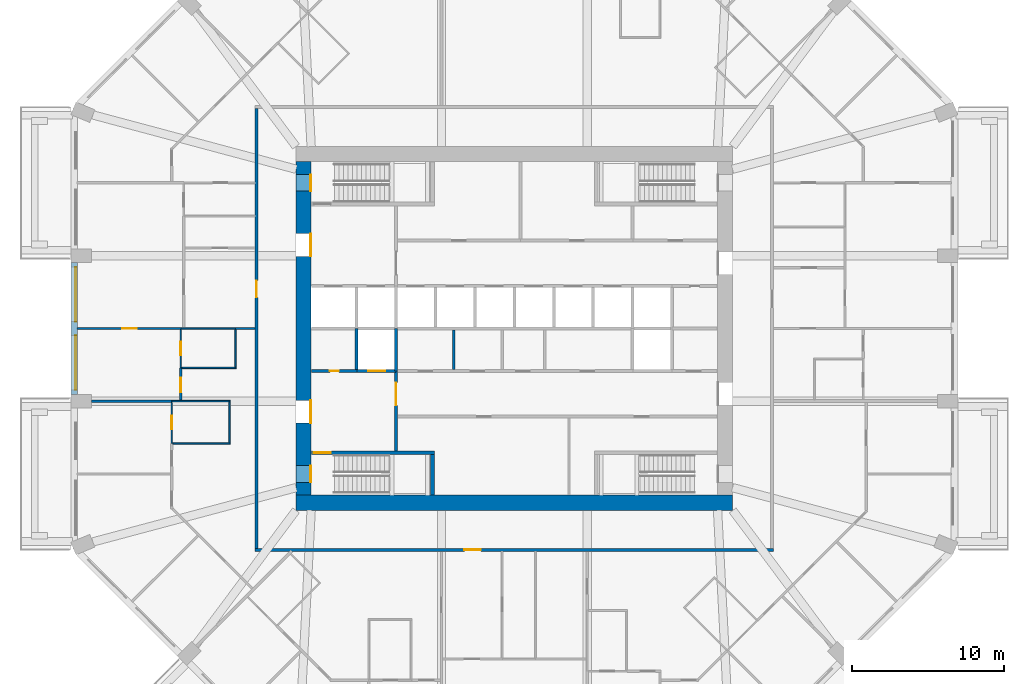
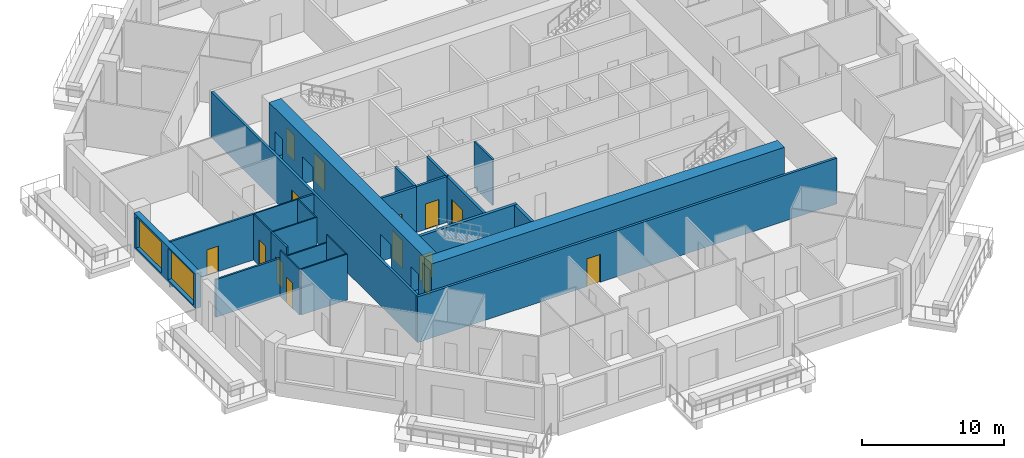
# One storey, part 4 of 13: 25 walls, 14 doors, 2 windows, 16 openings.
"""IFC4 building model written with IfcOpenShell, lengths in metres."""

from ifc_helpers import new_model, si_unit, direction, frame, frame_2d, origin, place, context, subcontext, project, spatial, rectangle, extrude, material, layer, layer_set, type_object, element, fill, save


model = new_model("IFC4")

# Units and contexts
model_context = context("Model", 3, precision=1e-05, world=origin(), true_north=direction((0.0, 1.0)))
body_context = subcontext(model_context, "Body", "Model", "MODEL_VIEW")
ifc_project = project(units=[si_unit("LENGTHUNIT", "METRE"), si_unit("AREAUNIT", "SQUARE_METRE"), si_unit("VOLUMEUNIT", "CUBIC_METRE"), si_unit("PLANEANGLEUNIT", "RADIAN"), si_unit("MASSUNIT", "GRAM", prefix="KILO")], contexts=[model_context])

# Site, building, storey
site_placement = place(None, origin())
site = spatial("IfcSite", under=ifc_project, at=site_placement, CompositionType="ELEMENT")
building_placement = place(site_placement, origin())
building = spatial("IfcBuilding", under=site, at=building_placement, Name="Msitu Wima Residences", CompositionType="ELEMENT")
storey_placement = place(building_placement, frame((0.0, 0.0, 59.10009765625)))
storey = spatial("IfcBuildingStorey", under=building, at=storey_placement, Name="L13", CompositionType="ELEMENT", Elevation=59.10009765625)

# Wall, openings, windows
ifc_material_1 = material(Name="Brick (red buff mix)", Category="masonry")
ifc_layer_1 = layer(ifc_material_1, 0.449951171875)
ifc_layer_set_1 = layer_set([ifc_layer_1], Name="Brick (red buff mix)")
wall_type_1 = type_object("IfcWallType", Name="Brick infill wall BW450", PredefinedType="SOLIDWALL", material=ifc_layer_set_1)
wall_1_placement = place(storey_placement, frame((-29.02490234375, 4.35009765625, 0.89990234375), z_axis=(0.0, 0.0, 1.0), x_axis=(0.0, -1.0, 0.0)))
wall_1 = element("IfcWall", 1, at=wall_1_placement, inside=storey, type_object=wall_type_1, Name="Brick infill wall L13 W1", PredefinedType="SOLIDWALL", context=body_context, shape_type="SweptSolid", body=[
    extrude(rectangle(XDim=8.7001953125, YDim=0.449951171875, at=frame_2d((4.35009765625, 0.0))), origin(), (0.0, 0.0, 1.0), 3.0),
])
opening_1_placement = place(wall_1_placement, frame((0.300048828125, 0.0, 0.14990234375)))
opening_1 = element("IfcOpeningElement", 2, at=opening_1_placement, cuts=wall_1, Name="Opening W13-15.028", PredefinedType="OPENING", context=body_context, shape_type="SweptSolid", body=[
    extrude(rectangle(XDim=3.60009765625, YDim=2.699951171875, at=frame_2d((1.800048828125, 1.35009765625))), frame((0.0, 0.23486328125, 0.0), z_axis=(0.0, -1.0, 0.0), x_axis=(1.0, 0.0, 0.0)), (0.0, 0.0, 1.0), 0.469970703125),
])
opening_2_placement = place(wall_1_placement, frame((4.800048828125, 0.0, 0.14990234375)))
opening_2 = element("IfcOpeningElement", 3, at=opening_2_placement, cuts=wall_1, Name="Opening W13-15.029", PredefinedType="OPENING", context=body_context, shape_type="SweptSolid", body=[
    extrude(rectangle(XDim=3.60009765625, YDim=2.699951171875, at=frame_2d((1.800048828125, 1.35009765625))), frame((0.0, 0.23486328125, 0.0), z_axis=(0.0, -1.0, 0.0), x_axis=(1.0, 0.0, 0.0)), (0.0, 0.0, 1.0), 0.469970703125),
])
ifc_material_2 = material(Name="Anodised aluminium, bronze finish, clear low-emissivity double glazing", Category="aluminium")
window_type = type_object("IfcWindowType", Name="Window W3600x2700", PartitioningType="DOUBLE_PANEL_VERTICAL", PredefinedType="WINDOW", material=ifc_material_2)
window_1_placement = place(opening_1_placement, origin())
window_1 = element("IfcWindow", 4, at=window_1_placement, inside=storey, type_object=window_type, Name="Window L13 W1.1", OverallHeight=2.699951171875, OverallWidth=3.60009765625, PartitioningType="SINGLE_PANEL", PredefinedType="WINDOW", context=body_context, shape_type="SweptSolid", body=[
    extrude(rectangle(XDim=3.60009765625, YDim=2.699951171875, at=frame_2d((1.800048828125, 1.35009765625))), frame((0.0, 0.135009765625, 0.0), z_axis=(0.0, -1.0, 0.0), x_axis=(1.0, 0.0, 0.0)), (0.0, 0.0, 1.0), 0.06005859375),
])
fill(opening_1, window_1)
window_2_placement = place(opening_2_placement, origin())
window_2 = element("IfcWindow", 5, at=window_2_placement, inside=storey, type_object=window_type, Name="Window L13 W1.2", OverallHeight=2.699951171875, OverallWidth=3.60009765625, PartitioningType="SINGLE_PANEL", PredefinedType="WINDOW", context=body_context, shape_type="SweptSolid", body=[
    extrude(rectangle(XDim=3.60009765625, YDim=2.699951171875, at=frame_2d((1.800048828125, 1.35009765625))), frame((0.0, 0.135009765625, 0.0), z_axis=(0.0, -1.0, 0.0), x_axis=(1.0, 0.0, 0.0)), (0.0, 0.0, 1.0), 0.06005859375),
])
fill(opening_2, window_2)

# Wall
ifc_material_3 = material(Name="Concrete C80/95", Category="concrete")
ifc_layer_2 = layer(ifc_material_3, 1.0)
ifc_layer_set_2 = layer_set([ifc_layer_2], Name="Concrete C80/95")
wall_type_2 = type_object("IfcWallType", Name="Core wall CW1000 C80/95", PredefinedType="SHEAR", material=ifc_layer_set_2)
wall_2_placement = place(storey_placement, frame((-14.39990234375, -11.5, 0.0), z_axis=(0.0, 0.0, 1.0), x_axis=(1.0, 0.0, 0.0)))
element("IfcWall", 6, at=wall_2_placement, inside=storey, type_object=wall_type_2, Name="Core wall", PredefinedType="SHEAR", context=body_context, shape_type="SweptSolid", body=[
    extrude(rectangle(XDim=28.7998046875, YDim=1.0, at=frame_2d((14.39990234375, 0.0))), origin(), (0.0, 0.0, 1.0), 4.199951171875),
])

# Wall, openings, doors
wall_3_placement = place(storey_placement, frame((-13.89990234375, -11.0, 0.0), z_axis=(0.0, 0.0, 1.0), x_axis=(0.0, 1.0, 0.0)))
wall_3 = element("IfcWall", 7, at=wall_3_placement, inside=storey, type_object=wall_type_2, Name="Core wall", PredefinedType="SHEAR", context=body_context, shape_type="SweptSolid", body=[
    extrude(rectangle(XDim=22.0, YDim=1.0, at=frame_2d((11.0, 0.0))), origin(), (0.0, 0.0, 1.0), 4.199951171875),
])
opening_3_placement = place(wall_3_placement, frame((20.050048828125, 0.0, 0.0)))
opening_3 = element("IfcOpeningElement", 8, at=opening_3_placement, cuts=wall_3, Name="Opening D13-15.032", PredefinedType="OPENING", context=body_context, shape_type="SweptSolid", body=[
    extrude(rectangle(XDim=1.10009765625, YDim=2.199951171875, at=frame_2d((0.550048828125, 1.10009765625))), frame((0.0, 0.510009765625, 0.0), z_axis=(0.0, -1.0, 0.0), x_axis=(1.0, 0.0, 0.0)), (0.0, 0.0, 1.0), 1.02001953125),
])
opening_4_placement = place(wall_3_placement, frame((0.85009765625, 0.0, 0.0)))
opening_4 = element("IfcOpeningElement", 9, at=opening_4_placement, cuts=wall_3, Name="Opening D13-15.034", PredefinedType="OPENING", context=body_context, shape_type="SweptSolid", body=[
    extrude(rectangle(XDim=1.10009765625, YDim=2.199951171875, at=frame_2d((0.550048828125, 1.10009765625))), frame((0.0, 0.510009765625, 0.0), z_axis=(0.0, -1.0, 0.0), x_axis=(1.0, 0.0, 0.0)), (0.0, 0.0, 1.0), 1.02001953125),
])
opening_5_placement = place(wall_3_placement, frame((15.75, 0.0, 0.0)))
opening_5 = element("IfcOpeningElement", 10, at=opening_5_placement, cuts=wall_3, Name="Opening D13-15.015", PredefinedType="OPENING", context=body_context, shape_type="SweptSolid", body=[
    extrude(rectangle(XDim=1.5, YDim=2.39990234375, at=frame_2d((0.75, 1.199951171875))), frame((0.0, 0.510009765625, 0.0), z_axis=(0.0, -1.0, 0.0), x_axis=(1.0, 0.0, 0.0)), (0.0, 0.0, 1.0), 1.02001953125),
])
opening_6_placement = place(wall_3_placement, frame((4.75, 0.0, 0.0)))
opening_6 = element("IfcOpeningElement", 11, at=opening_6_placement, cuts=wall_3, Name="Opening D13-15.017", PredefinedType="OPENING", context=body_context, shape_type="SweptSolid", body=[
    extrude(rectangle(XDim=1.5, YDim=2.39990234375, at=frame_2d((0.75, 1.199951171875))), frame((0.0, 0.510009765625, 0.0), z_axis=(0.0, -1.0, 0.0), x_axis=(1.0, 0.0, 0.0)), (0.0, 0.0, 1.0), 1.02001953125),
])
ifc_material_4 = material(Name="Steel framed glazed door, fire resisting", Category="steel")
door_type_1 = type_object("IfcDoorType", Name="Lobby door D07 1500x2400", OperationType="DOUBLE_DOOR_SINGLE_SWING", PredefinedType="DOOR", material=ifc_material_4)
door_1_placement = place(opening_5_placement, origin())
door_1 = element("IfcDoor", 12, at=door_1_placement, inside=storey, type_object=door_type_1, Name="Lobby door", OperationType="DOUBLE_DOOR_SINGLE_SWING", OverallHeight=2.39990234375, OverallWidth=1.5, PredefinedType="DOOR", context=body_context, shape_type="SweptSolid", body=[
    extrude(rectangle(XDim=1.5, YDim=2.39990234375, at=frame_2d((0.75, 1.199951171875))), frame((0.0, -0.44482421875, 0.0), z_axis=(0.0, -1.0, 0.0), x_axis=(1.0, 0.0, 0.0)), (0.0, 0.0, 1.0), 0.050048828125),
])
fill(opening_5, door_1)
door_2_placement = place(opening_6_placement, origin())
door_2 = element("IfcDoor", 13, at=door_2_placement, inside=storey, type_object=door_type_1, Name="Lobby door", OperationType="DOUBLE_DOOR_SINGLE_SWING", OverallHeight=2.39990234375, OverallWidth=1.5, PredefinedType="DOOR", context=body_context, shape_type="SweptSolid", body=[
    extrude(rectangle(XDim=1.5, YDim=2.39990234375, at=frame_2d((0.75, 1.199951171875))), frame((0.0, -0.44482421875, 0.0), z_axis=(0.0, -1.0, 0.0), x_axis=(1.0, 0.0, 0.0)), (0.0, 0.0, 1.0), 0.050048828125),
])
fill(opening_6, door_2)
ifc_material_5 = material(Name="Steel door, fire resisting, panic bar", Category="steel")
door_type_2 = type_object("IfcDoorType", Name="Stair door D06 1100x2200", OperationType="SINGLE_SWING_LEFT", PredefinedType="DOOR", material=ifc_material_5)
door_3_placement = place(opening_3_placement, origin())
door_3 = element("IfcDoor", 14, at=door_3_placement, inside=storey, type_object=door_type_2, Name="Stair door", OperationType="SINGLE_SWING_RIGHT", OverallHeight=2.199951171875, OverallWidth=1.10009765625, PredefinedType="DOOR", context=body_context, shape_type="SweptSolid", body=[
    extrude(rectangle(XDim=1.10009765625, YDim=2.199951171875, at=frame_2d((0.550048828125, 1.10009765625))), frame((0.0, -0.44482421875, 0.0), z_axis=(0.0, -1.0, 0.0), x_axis=(1.0, 0.0, 0.0)), (0.0, 0.0, 1.0), 0.050048828125),
])
fill(opening_3, door_3)
door_4_placement = place(opening_4_placement, origin())
door_4 = element("IfcDoor", 15, at=door_4_placement, inside=storey, type_object=door_type_2, Name="Stair door", OperationType="SINGLE_SWING_LEFT", OverallHeight=2.199951171875, OverallWidth=1.10009765625, PredefinedType="DOOR", context=body_context, shape_type="SweptSolid", body=[
    extrude(rectangle(XDim=1.10009765625, YDim=2.199951171875, at=frame_2d((0.550048828125, 1.10009765625))), frame((0.0, -0.44482421875, 0.0), z_axis=(0.0, -1.0, 0.0), x_axis=(1.0, 0.0, 0.0)), (0.0, 0.0, 1.0), 0.050048828125),
])
fill(opening_4, door_4)

# Wall, opening, door
ifc_material_6 = material(Name="Plaster")
ifc_layer_3 = layer(ifc_material_6, 0.011962890625, Name="Plaster")
ifc_material_7 = material(Name="Concrete blockwork", Category="masonry")
ifc_layer_4 = layer(ifc_material_7, 0.176025390625, Name="Concrete blockwork")
ifc_layer_5 = layer(ifc_material_6, 0.011962890625, Name="Plaster")
ifc_layer_set_3 = layer_set([ifc_layer_3, ifc_layer_4, ifc_layer_5], Name="Concrete blockwork")
wall_type_3 = type_object("IfcWallType", Name="Corridor wall FW200", PredefinedType="PARTITIONING", material=ifc_layer_set_3)
wall_4_placement = place(storey_placement, frame((-17.0, -14.5, 0.0), z_axis=(0.0, 0.0, 1.0), x_axis=(0.0, 1.0, 0.0)))
wall_4 = element("IfcWall", 16, at=wall_4_placement, inside=storey, type_object=wall_type_3, Name="Corridor wall", PredefinedType="PARTITIONING", context=body_context, shape_type="SweptSolid", body=[
    extrude(rectangle(XDim=29.0, YDim=0.199951171875, at=frame_2d((14.5, 0.0))), origin(), (0.0, 0.0, 1.0), 3.949951171875),
])
opening_7_placement = place(wall_4_placement, frame((16.550048828125, 0.0, 0.0)))
opening_7 = element("IfcOpeningElement", 17, at=opening_7_placement, cuts=wall_4, Name="Opening D13-15.012", PredefinedType="OPENING", context=body_context, shape_type="SweptSolid", body=[
    extrude(rectangle(XDim=1.10009765625, YDim=2.39990234375, at=frame_2d((0.550048828125, 1.199951171875))), frame((0.0, 0.10986328125, 0.0), z_axis=(0.0, -1.0, 0.0), x_axis=(1.0, 0.0, 0.0)), (0.0, 0.0, 1.0), 0.219970703125),
])
ifc_material_8 = material(Name="Timber flush door, fire resisting, self-closing", Category="wood")
door_type_3 = type_object("IfcDoorType", Name="Flat entrance door D01 1100x2400", OperationType="SINGLE_SWING_LEFT", PredefinedType="DOOR", material=ifc_material_8)
door_5_placement = place(opening_7_placement, origin())
door_5 = element("IfcDoor", 18, at=door_5_placement, inside=storey, type_object=door_type_3, Name="Flat entrance door", OperationType="SINGLE_SWING_LEFT", OverallHeight=2.39990234375, OverallWidth=1.10009765625, PredefinedType="DOOR", context=body_context, shape_type="SweptSolid", body=[
    extrude(rectangle(XDim=1.10009765625, YDim=2.39990234375, at=frame_2d((0.550048828125, 1.199951171875))), frame((0.0, 0.02490234375, 0.0), z_axis=(0.0, -1.0, 0.0), x_axis=(1.0, 0.0, 0.0)), (0.0, 0.0, 1.0), 0.050048828125),
])
fill(opening_7, door_5)

wall_5_placement = place(storey_placement, frame((-17.10009765625, -14.60009765625, 0.0), z_axis=(0.0, 0.0, 1.0), x_axis=(1.0, 0.0, 0.0)))
wall_5 = element("IfcWall", 19, at=wall_5_placement, inside=storey, type_object=wall_type_3, Name="Corridor wall", PredefinedType="PARTITIONING", context=body_context, shape_type="SweptSolid", body=[
    extrude(rectangle(XDim=34.2001953125, YDim=0.199951171875, at=frame_2d((17.10009765625, 0.0))), origin(), (0.0, 0.0, 1.0), 3.949951171875),
])
opening_8_placement = place(wall_5_placement, frame((13.800048828125, 0.0, 0.0)))
opening_8 = element("IfcOpeningElement", 20, at=opening_8_placement, cuts=wall_5, Name="Opening D13-15.013", PredefinedType="OPENING", context=body_context, shape_type="SweptSolid", body=[
    extrude(rectangle(XDim=1.10009765625, YDim=2.39990234375, at=frame_2d((0.550048828125, 1.199951171875))), frame((0.0, 0.10986328125, 0.0), z_axis=(0.0, -1.0, 0.0), x_axis=(1.0, 0.0, 0.0)), (0.0, 0.0, 1.0), 0.219970703125),
])
door_6_placement = place(opening_8_placement, origin())
door_6 = element("IfcDoor", 21, at=door_6_placement, inside=storey, type_object=door_type_3, Name="Flat entrance door", OperationType="SINGLE_SWING_LEFT", OverallHeight=2.39990234375, OverallWidth=1.10009765625, PredefinedType="DOOR", context=body_context, shape_type="SweptSolid", body=[
    extrude(rectangle(XDim=1.10009765625, YDim=2.39990234375, at=frame_2d((0.550048828125, 1.199951171875))), frame((0.0, 0.02490234375, 0.0), z_axis=(0.0, -1.0, 0.0), x_axis=(1.0, 0.0, 0.0)), (0.0, 0.0, 1.0), 0.050048828125),
])
fill(opening_8, door_6)

wall_6_placement = place(storey_placement, frame((-7.800048828125, -8.074951171875, 0.0), z_axis=(0.0, 0.0, 1.0), x_axis=(0.0, 1.0, 0.0)))
wall_6 = element("IfcWall", 22, at=wall_6_placement, inside=storey, type_object=wall_type_3, Name="Corridor wall", PredefinedType="PARTITIONING", context=body_context, shape_type="SweptSolid", body=[
    extrude(rectangle(XDim=5.27490234375, YDim=0.199951171875, at=frame_2d((2.637451171875, 0.0))), origin(), (0.0, 0.0, 1.0), 3.949951171875),
])
opening_9_placement = place(wall_6_placement, frame((3.0, 0.0, 0.0)))
opening_9 = element("IfcOpeningElement", 23, at=opening_9_placement, cuts=wall_6, Name="Opening D13-15.018", PredefinedType="OPENING", context=body_context, shape_type="SweptSolid", body=[
    extrude(rectangle(XDim=1.5, YDim=2.39990234375, at=frame_2d((0.75, 1.199951171875))), frame((0.0, 0.10986328125, 0.0), z_axis=(0.0, -1.0, 0.0), x_axis=(1.0, 0.0, 0.0)), (0.0, 0.0, 1.0), 0.219970703125),
])
door_7_placement = place(opening_9_placement, origin())
door_7 = element("IfcDoor", 24, at=door_7_placement, inside=storey, type_object=door_type_1, Name="Lobby door", OperationType="DOUBLE_DOOR_SINGLE_SWING", OverallHeight=2.39990234375, OverallWidth=1.5, PredefinedType="DOOR", context=body_context, shape_type="SweptSolid", body=[
    extrude(rectangle(XDim=1.5, YDim=2.39990234375, at=frame_2d((0.75, 1.199951171875))), frame((0.0, 0.02490234375, 0.0), z_axis=(0.0, -1.0, 0.0), x_axis=(1.0, 0.0, 0.0)), (0.0, 0.0, 1.0), 0.050048828125),
])
fill(opening_9, door_7)

# Wall
ifc_layer_6 = layer(ifc_material_6, 0.011962890625, Name="Plaster")
ifc_layer_7 = layer(ifc_material_7, 0.1259765625, Name="Concrete blockwork")
ifc_layer_8 = layer(ifc_material_6, 0.011962890625, Name="Plaster")
ifc_layer_set_4 = layer_set([ifc_layer_6, ifc_layer_7, ifc_layer_8], Name="Concrete blockwork")
wall_type_4 = type_object("IfcWallType", Name="Partition PW150", PredefinedType="PARTITIONING", material=ifc_layer_set_4)
wall_7_placement = place(storey_placement, frame((-27.89990234375, -4.800048828125, 0.0), z_axis=(0.0, 0.0, 1.0), x_axis=(1.0, 0.0, 0.0)))
element("IfcWall", 25, at=wall_7_placement, inside=storey, type_object=wall_type_4, Name="Partition", PredefinedType="PARTITIONING", context=body_context, shape_type="SweptSolid", body=[
    extrude(rectangle(XDim=5.31982421875, YDim=0.14990234375, at=frame_2d((2.659912109375, 0.0))), origin(), (0.0, 0.0, 1.0), 3.25),
])

# Wall, opening, door
wall_8_placement = place(storey_placement, frame((-28.85498046875, 0.0, 0.0), z_axis=(0.0, 0.0, 1.0), x_axis=(1.0, 0.0, 0.0)))
wall_8 = element("IfcWall", 26, at=wall_8_placement, inside=storey, type_object=wall_type_4, Name="Partition", PredefinedType="PARTITIONING", context=body_context, shape_type="SweptSolid", body=[
    extrude(rectangle(XDim=6.875, YDim=0.14990234375, at=frame_2d((3.4375, 0.0))), origin(), (0.0, 0.0, 1.0), 3.949951171875),
])
opening_10_placement = place(wall_8_placement, frame((3.0, 0.0, 0.0)))
opening_10 = element("IfcOpeningElement", 27, at=opening_10_placement, cuts=wall_8, Name="Opening D13-15.048", PredefinedType="OPENING", context=body_context, shape_type="SweptSolid", body=[
    extrude(rectangle(XDim=0.949951171875, YDim=2.199951171875, at=frame_2d((0.47509765625, 1.10009765625))), frame((0.0, 0.0849609375, 0.0), z_axis=(0.0, -1.0, 0.0), x_axis=(1.0, 0.0, 0.0)), (0.0, 0.0, 1.0), 0.169921875),
])
ifc_material_9 = material(Name="Timber flush door", Category="wood")
door_type_4 = type_object("IfcDoorType", Name="Room door D12 950x2200", OperationType="SINGLE_SWING_LEFT", PredefinedType="DOOR", material=ifc_material_9)
door_8_placement = place(opening_10_placement, origin())
door_8 = element("IfcDoor", 28, at=door_8_placement, inside=storey, type_object=door_type_4, Name="Room door", OperationType="SINGLE_SWING_RIGHT", OverallHeight=2.199951171875, OverallWidth=0.949951171875, PredefinedType="DOOR", context=body_context, shape_type="SweptSolid", body=[
    extrude(rectangle(XDim=0.949951171875, YDim=2.199951171875, at=frame_2d((0.47509765625, 1.10009765625))), frame((0.0, 0.02490234375, 0.0), z_axis=(0.0, -1.0, 0.0), x_axis=(1.0, 0.0, 0.0)), (0.0, 0.0, 1.0), 0.050048828125),
])
fill(opening_10, door_8)

wall_9_placement = place(storey_placement, frame((-22.0, -4.75, 0.0), z_axis=(0.0, 0.0, 1.0), x_axis=(0.0, 1.0, 0.0)))
wall_9 = element("IfcWall", 29, at=wall_9_placement, inside=storey, type_object=wall_type_4, Name="Partition", PredefinedType="PARTITIONING", context=body_context, shape_type="SweptSolid", body=[
    extrude(rectangle(XDim=2.1298828125, YDim=0.14990234375, at=frame_2d((1.06494140625, 0.0))), origin(), (0.0, 0.0, 1.0), 3.949951171875),
])
opening_11_placement = place(wall_9_placement, frame((0.550048828125, 0.0, 0.0)))
opening_11 = element("IfcOpeningElement", 30, at=opening_11_placement, cuts=wall_9, Name="Opening D13-15.051", PredefinedType="OPENING", context=body_context, shape_type="SweptSolid", body=[
    extrude(rectangle(XDim=0.949951171875, YDim=2.199951171875, at=frame_2d((0.47509765625, 1.10009765625))), frame((0.0, 0.0849609375, 0.0), z_axis=(0.0, -1.0, 0.0), x_axis=(1.0, 0.0, 0.0)), (0.0, 0.0, 1.0), 0.169921875),
])
door_9_placement = place(opening_11_placement, origin())
door_9 = element("IfcDoor", 31, at=door_9_placement, inside=storey, type_object=door_type_4, Name="Room door", OperationType="SINGLE_SWING_LEFT", OverallHeight=2.199951171875, OverallWidth=0.949951171875, PredefinedType="DOOR", context=body_context, shape_type="SweptSolid", body=[
    extrude(rectangle(XDim=0.949951171875, YDim=2.199951171875, at=frame_2d((0.47509765625, 1.10009765625))), frame((0.0, 0.02490234375, 0.0), z_axis=(0.0, -1.0, 0.0), x_axis=(1.0, 0.0, 0.0)), (0.0, 0.0, 1.0), 0.050048828125),
])
fill(opening_11, door_9)

# Walls
wall_10_placement = place(storey_placement, frame((-18.3798828125, 0.0, 0.0), z_axis=(0.0, 0.0, 1.0), x_axis=(1.0, 0.0, 0.0)))
element("IfcWall", 32, at=wall_10_placement, inside=storey, type_object=wall_type_4, Name="Partition", PredefinedType="PARTITIONING", context=body_context, shape_type="SweptSolid", body=[
    extrude(rectangle(XDim=1.27978515625, YDim=0.14990234375, at=frame_2d((0.639892578125, 0.0))), origin(), (0.0, 0.0, 1.0), 3.949951171875),
])
wall_11_placement = place(storey_placement, frame((-4.0, -2.699951171875, 0.0), z_axis=(0.0, 0.0, 1.0), x_axis=(0.0, 1.0, 0.0)))
element("IfcWall", 33, at=wall_11_placement, inside=storey, type_object=wall_type_4, Name="Partition", PredefinedType="PARTITIONING", context=body_context, shape_type="SweptSolid", body=[
    extrude(rectangle(XDim=2.599853515625, YDim=0.14990234375, at=frame_2d((1.2998046875, 0.0))), origin(), (0.0, 0.0, 1.0), 3.949951171875),
])

# Wall, opening, door
ifc_layer_9 = layer(ifc_material_6, 0.011962890625, Name="Plaster")
ifc_material_10 = material(Name="Reinforced concrete blockwork", Category="masonry")
ifc_layer_10 = layer(ifc_material_10, 0.176025390625, Name="Reinforced concrete blockwork")
ifc_layer_11 = layer(ifc_material_6, 0.011962890625, Name="Plaster")
ifc_layer_set_5 = layer_set([ifc_layer_9, ifc_layer_10, ifc_layer_11], Name="Reinforced concrete blockwork")
wall_type_5 = type_object("IfcWallType", Name="Plant and riser wall PL200", PredefinedType="PARTITIONING", material=ifc_layer_set_5)
wall_12_placement = place(storey_placement, frame((-13.3701171875, -2.800048828125, 0.0), z_axis=(0.0, 0.0, 1.0), x_axis=(1.0, 0.0, 0.0)))
wall_12 = element("IfcWall", 34, at=wall_12_placement, inside=storey, type_object=wall_type_5, Name="Plant and riser wall", PredefinedType="PARTITIONING", context=body_context, shape_type="SweptSolid", body=[
    extrude(rectangle(XDim=2.990234375, YDim=0.199951171875, at=frame_2d((1.4951171875, 0.0))), origin(), (0.0, 0.0, 1.0), 3.949951171875),
])
opening_12_placement = place(wall_12_placement, frame((1.199951171875, 0.0, 0.0)))
opening_12 = element("IfcOpeningElement", 35, at=opening_12_placement, cuts=wall_12, Name="Opening D13-15.027", PredefinedType="OPENING", context=body_context, shape_type="SweptSolid", body=[
    extrude(rectangle(XDim=0.60009765625, YDim=2.0, at=frame_2d((0.300048828125, 1.0))), frame((0.0, 0.10986328125, 0.0), z_axis=(0.0, -1.0, 0.0), x_axis=(1.0, 0.0, 0.0)), (0.0, 0.0, 1.0), 0.219970703125),
])
ifc_material_11 = material(Name="Steel access door, fire resisting", Category="steel")
door_type_5 = type_object("IfcDoorType", Name="Riser access door D08 600x2000", OperationType="SINGLE_SWING_LEFT", PredefinedType="DOOR", material=ifc_material_11)
door_10_placement = place(opening_12_placement, origin())
door_10 = element("IfcDoor", 36, at=door_10_placement, inside=storey, type_object=door_type_5, Name="Riser access door", OperationType="SINGLE_SWING_RIGHT", OverallHeight=2.0, OverallWidth=0.60009765625, PredefinedType="DOOR", context=body_context, shape_type="SweptSolid", body=[
    extrude(rectangle(XDim=0.60009765625, YDim=2.0, at=frame_2d((0.300048828125, 1.0))), frame((0.0, 0.02490234375, 0.0), z_axis=(0.0, -1.0, 0.0), x_axis=(1.0, 0.0, 0.0)), (0.0, 0.0, 1.0), 0.050048828125),
])
fill(opening_12, door_10)

# Wall
ifc_material_12 = material(Name="Fire-rated board")
ifc_layer_12 = layer(ifc_material_12, 0.02490234375, Name="Fire-rated board")
ifc_material_13 = material(Name="Light-gauge stud framing with mineral wool")
ifc_layer_13 = layer(ifc_material_13, 0.14990234375, Name="Light-gauge stud framing with mineral wool")
ifc_layer_14 = layer(ifc_material_12, 0.02490234375, Name="Fire-rated board")
ifc_layer_set_6 = layer_set([ifc_layer_12, ifc_layer_13, ifc_layer_14], Name="Light-gauge stud framing with mineral wool")
wall_type_6 = type_object("IfcWallType", Name="Shaft wall SH200", PredefinedType="PARTITIONING", material=ifc_layer_set_6)
wall_13_placement = place(storey_placement, frame((-10.39990234375, -2.699951171875, 0.0), z_axis=(0.0, 0.0, 1.0), x_axis=(0.0, 1.0, 0.0)))
element("IfcWall", 37, at=wall_13_placement, inside=storey, type_object=wall_type_6, Name="Shaft wall", PredefinedType="PARTITIONING", context=body_context, shape_type="SweptSolid", body=[
    extrude(rectangle(XDim=2.699951171875, YDim=0.199951171875, at=frame_2d((1.35009765625, 0.0))), origin(), (0.0, 0.0, 1.0), 3.949951171875),
])

# Wall, opening, door
wall_14_placement = place(storey_placement, frame((-10.3798828125, -2.800048828125, 0.0), z_axis=(0.0, 0.0, 1.0), x_axis=(1.0, 0.0, 0.0)))
wall_14 = element("IfcWall", 38, at=wall_14_placement, inside=storey, type_object=wall_type_6, Name="Shaft wall", PredefinedType="PARTITIONING", context=body_context, shape_type="SweptSolid", body=[
    extrude(rectangle(XDim=2.559814453125, YDim=0.199951171875, at=frame_2d((1.27978515625, 0.0))), origin(), (0.0, 0.0, 1.0), 3.949951171875),
])
opening_13_placement = place(wall_14_placement, frame((0.75, 0.0, 0.0)))
opening_13 = element("IfcOpeningElement", 39, at=opening_13_placement, cuts=wall_14, Name="Opening LD", PredefinedType="OPENING", context=body_context, shape_type="SweptSolid", body=[
    extrude(rectangle(XDim=1.10009765625, YDim=2.199951171875, at=frame_2d((0.550048828125, 1.10009765625))), frame((0.0, 0.10986328125, 0.0), z_axis=(0.0, -1.0, 0.0), x_axis=(1.0, 0.0, 0.0)), (0.0, 0.0, 1.0), 0.219970703125),
])
ifc_material_14 = material(Name="Stainless steel centre-opening landing door, rated", Category="steel")
door_type_6 = type_object("IfcDoorType", Name="Lift landing door LD 1100x2200", OperationType="DOUBLE_DOOR_SLIDING", PredefinedType="DOOR", material=ifc_material_14)
door_11_placement = place(opening_13_placement, origin())
door_11 = element("IfcDoor", 40, at=door_11_placement, inside=storey, type_object=door_type_6, Name="Lift landing door LD3", OperationType="DOUBLE_DOOR_SLIDING", OverallHeight=2.199951171875, OverallWidth=1.10009765625, PredefinedType="DOOR", context=body_context, shape_type="SweptSolid", body=[
    extrude(rectangle(XDim=1.10009765625, YDim=2.199951171875, at=frame_2d((0.550048828125, 1.10009765625))), frame((0.0, 0.02490234375, 0.0), z_axis=(0.0, -1.0, 0.0), x_axis=(1.0, 0.0, 0.0)), (0.0, 0.0, 1.0), 0.050048828125),
])
fill(opening_13, door_11)

# Wall
wall_15_placement = place(storey_placement, frame((-7.800048828125, -2.800048828125, 0.0), z_axis=(0.0, 0.0, 1.0), x_axis=(0.0, 1.0, 0.0)))
element("IfcWall", 41, at=wall_15_placement, inside=storey, type_object=wall_type_6, Name="Shaft wall", PredefinedType="PARTITIONING", context=body_context, shape_type="SweptSolid", body=[
    extrude(rectangle(XDim=2.800048828125, YDim=0.199951171875, at=frame_2d((1.39990234375, 0.0))), origin(), (0.0, 0.0, 1.0), 3.949951171875),
])

# Wall, opening, door
ifc_material_15 = material(Name="Concrete C50/60", Category="concrete")
ifc_layer_15 = layer(ifc_material_15, 0.25)
ifc_layer_set_7 = layer_set([ifc_layer_15], Name="Concrete C50/60")
wall_type_7 = type_object("IfcWallType", Name="Stair enclosure wall SW250", PredefinedType="SHEAR", material=ifc_layer_set_7)
wall_16_placement = place(storey_placement, frame((-13.3701171875, -8.199951171875, 0.0), z_axis=(0.0, 0.0, 1.0), x_axis=(1.0, 0.0, 0.0)))
wall_16 = element("IfcWall", 42, at=wall_16_placement, inside=storey, type_object=wall_type_7, Name="Stair enclosure wall", PredefinedType="SHEAR", context=body_context, shape_type="SweptSolid", body=[
    extrude(rectangle(XDim=8.09521484375, YDim=0.25, at=frame_2d((4.047607421875, 0.0))), origin(), (0.0, 0.0, 1.0), 3.949951171875),
])
opening_14_placement = place(wall_16_placement, frame((0.14990234375, 0.0, 0.0)))
opening_14 = element("IfcOpeningElement", 43, at=opening_14_placement, cuts=wall_16, Name="Opening D13-15.035", PredefinedType="OPENING", context=body_context, shape_type="SweptSolid", body=[
    extrude(rectangle(XDim=1.10009765625, YDim=2.199951171875, at=frame_2d((0.550048828125, 1.10009765625))), frame((0.0, 0.135009765625, 0.0), z_axis=(0.0, -1.0, 0.0), x_axis=(1.0, 0.0, 0.0)), (0.0, 0.0, 1.0), 0.27001953125),
])
door_12_placement = place(opening_14_placement, origin())
door_12 = element("IfcDoor", 44, at=door_12_placement, inside=storey, type_object=door_type_2, Name="Stair door", OperationType="SINGLE_SWING_RIGHT", OverallHeight=2.199951171875, OverallWidth=1.10009765625, PredefinedType="DOOR", context=body_context, shape_type="SweptSolid", body=[
    extrude(rectangle(XDim=1.10009765625, YDim=2.199951171875, at=frame_2d((0.550048828125, 1.10009765625))), frame((0.0, 0.02490234375, 0.0), z_axis=(0.0, -1.0, 0.0), x_axis=(1.0, 0.0, 0.0)), (0.0, 0.0, 1.0), 0.050048828125),
])
fill(opening_14, door_12)

# Walls
wall_17_placement = place(storey_placement, frame((-5.39990234375, -10.969970703125, 0.0), z_axis=(0.0, 0.0, 1.0), x_axis=(0.0, 1.0, 0.0)))
element("IfcWall", 45, at=wall_17_placement, inside=storey, type_object=wall_type_7, Name="Stair enclosure wall", PredefinedType="SHEAR", context=body_context, shape_type="SweptSolid", body=[
    extrude(rectangle(XDim=2.64501953125, YDim=0.25, at=frame_2d((1.322509765625, 0.0))), origin(), (0.0, 0.0, 1.0), 3.949951171875),
])
ifc_material_16 = material(Name="Ceramic tiles")
ifc_layer_16 = layer(ifc_material_16, 0.008056640625, Name="Ceramic tiles")
ifc_material_17 = material(Name="Moisture-resistant board")
ifc_layer_17 = layer(ifc_material_17, 0.012451171875, Name="Moisture-resistant board")
ifc_layer_18 = layer(ifc_material_13, 0.06689453125, Name="Light-gauge stud framing with mineral wool")
ifc_layer_19 = layer(ifc_material_17, 0.012451171875, Name="Moisture-resistant board")
ifc_layer_set_8 = layer_set([ifc_layer_16, ifc_layer_17, ifc_layer_18, ifc_layer_19], Name="Light-gauge stud framing with mineral wool")
wall_type_8 = type_object("IfcWallType", Name="Wet wall PW100", PredefinedType="PARTITIONING", material=ifc_layer_set_8)
wall_18_placement = place(storey_placement, frame((-22.580078125, -4.800048828125, 0.0), z_axis=(0.0, 0.0, 1.0), x_axis=(1.0, 0.0, 0.0)))
element("IfcWall", 46, at=wall_18_placement, inside=storey, type_object=wall_type_8, Name="Wet wall", PredefinedType="PARTITIONING", context=body_context, shape_type="SweptSolid", body=[
    extrude(rectangle(XDim=3.830078125, YDim=0.10009765625, at=frame_2d((1.9150390625, 0.0))), origin(), (0.0, 0.0, 1.0), 3.25),
])

# Wall, opening, door
wall_19_placement = place(storey_placement, frame((-22.60009765625, -7.60009765625, 0.0), z_axis=(0.0, 0.0, 1.0), x_axis=(0.0, 1.0, 0.0)))
wall_19 = element("IfcWall", 47, at=wall_19_placement, inside=storey, type_object=wall_type_8, Name="Wet wall", PredefinedType="PARTITIONING", context=body_context, shape_type="SweptSolid", body=[
    extrude(rectangle(XDim=2.72509765625, YDim=0.10009765625, at=frame_2d((1.362548828125, 0.0))), origin(), (0.0, 0.0, 1.0), 3.949951171875),
])
opening_15_placement = place(wall_19_placement, frame((0.949951171875, 0.0, 0.0)))
opening_15 = element("IfcOpeningElement", 48, at=opening_15_placement, cuts=wall_19, Name="Opening D13-15.053", PredefinedType="OPENING", context=body_context, shape_type="SweptSolid", body=[
    extrude(rectangle(XDim=0.89990234375, YDim=2.199951171875, at=frame_2d((0.449951171875, 1.10009765625))), frame((0.0, 0.06005859375, 0.0), z_axis=(0.0, -1.0, 0.0), x_axis=(1.0, 0.0, 0.0)), (0.0, 0.0, 1.0), 0.1201171875),
])
ifc_material_18 = material(Name="Timber flush door, moisture resistant", Category="wood")
door_type_7 = type_object("IfcDoorType", Name="Bathroom door D03 900x2200", OperationType="SINGLE_SWING_LEFT", PredefinedType="DOOR", material=ifc_material_18)
door_13_placement = place(opening_15_placement, origin())
door_13 = element("IfcDoor", 49, at=door_13_placement, inside=storey, type_object=door_type_7, Name="Bathroom door", OperationType="SINGLE_SWING_LEFT", OverallHeight=2.199951171875, OverallWidth=0.89990234375, PredefinedType="DOOR", context=body_context, shape_type="SweptSolid", body=[
    extrude(rectangle(XDim=0.89990234375, YDim=2.199951171875, at=frame_2d((0.449951171875, 1.10009765625))), frame((0.0, 0.02490234375, 0.0), z_axis=(0.0, -1.0, 0.0), x_axis=(1.0, 0.0, 0.0)), (0.0, 0.0, 1.0), 0.050048828125),
])
fill(opening_15, door_13)

# Walls
wall_20_placement = place(storey_placement, frame((-22.52490234375, -7.60009765625, 0.0), z_axis=(0.0, 0.0, 1.0), x_axis=(1.0, 0.0, 0.0)))
element("IfcWall", 50, at=wall_20_placement, inside=storey, type_object=wall_type_8, Name="Wet wall", PredefinedType="PARTITIONING", context=body_context, shape_type="SweptSolid", body=[
    extrude(rectangle(XDim=3.77490234375, YDim=0.10009765625, at=frame_2d((1.887451171875, 0.0))), origin(), (0.0, 0.0, 1.0), 3.949951171875),
])
wall_21_placement = place(storey_placement, frame((-21.97998046875, 0.0, 0.0), z_axis=(0.0, 0.0, 1.0), x_axis=(1.0, 0.0, 0.0)))
element("IfcWall", 51, at=wall_21_placement, inside=storey, type_object=wall_type_8, Name="Wet wall", PredefinedType="PARTITIONING", context=body_context, shape_type="SweptSolid", body=[
    extrude(rectangle(XDim=3.60009765625, YDim=0.10009765625, at=frame_2d((1.800048828125, 0.0))), origin(), (0.0, 0.0, 1.0), 3.949951171875),
])

# Wall, opening, door
wall_22_placement = place(storey_placement, frame((-22.0, -2.6201171875, 0.0), z_axis=(0.0, 0.0, 1.0), x_axis=(0.0, 1.0, 0.0)))
wall_22 = element("IfcWall", 52, at=wall_22_placement, inside=storey, type_object=wall_type_8, Name="Wet wall", PredefinedType="PARTITIONING", context=body_context, shape_type="SweptSolid", body=[
    extrude(rectangle(XDim=2.545166015625, YDim=0.10009765625, at=frame_2d((1.2724609375, 0.0))), origin(), (0.0, 0.0, 1.0), 3.949951171875),
])
opening_16_placement = place(wall_22_placement, frame((0.85009765625, 0.0, 0.0)))
opening_16 = element("IfcOpeningElement", 53, at=opening_16_placement, cuts=wall_22, Name="Opening D13-15.050", PredefinedType="OPENING", context=body_context, shape_type="SweptSolid", body=[
    extrude(rectangle(XDim=0.89990234375, YDim=2.199951171875, at=frame_2d((0.449951171875, 1.10009765625))), frame((0.0, 0.06005859375, 0.0), z_axis=(0.0, -1.0, 0.0), x_axis=(1.0, 0.0, 0.0)), (0.0, 0.0, 1.0), 0.1201171875),
])
door_14_placement = place(opening_16_placement, origin())
door_14 = element("IfcDoor", 54, at=door_14_placement, inside=storey, type_object=door_type_7, Name="Bathroom door", OperationType="SINGLE_SWING_RIGHT", OverallHeight=2.199951171875, OverallWidth=0.89990234375, PredefinedType="DOOR", context=body_context, shape_type="SweptSolid", body=[
    extrude(rectangle(XDim=0.89990234375, YDim=2.199951171875, at=frame_2d((0.449951171875, 1.10009765625))), frame((0.0, 0.02490234375, 0.0), z_axis=(0.0, -1.0, 0.0), x_axis=(1.0, 0.0, 0.0)), (0.0, 0.0, 1.0), 0.050048828125),
])
fill(opening_16, door_14)

# Walls
wall_23_placement = place(storey_placement, frame((-21.925048828125, -2.60009765625, 0.0), z_axis=(0.0, 0.0, 1.0), x_axis=(1.0, 0.0, 0.0)))
element("IfcWall", 55, at=wall_23_placement, inside=storey, type_object=wall_type_8, Name="Wet wall", PredefinedType="PARTITIONING", context=body_context, shape_type="SweptSolid", body=[
    extrude(rectangle(XDim=3.574951171875, YDim=0.10009765625, at=frame_2d((1.78759765625, 0.0))), origin(), (0.0, 0.0, 1.0), 3.949951171875),
])
wall_24_placement = place(storey_placement, frame((-18.800048828125, -7.550048828125, 0.0), z_axis=(0.0, 0.0, 1.0), x_axis=(0.0, 1.0, 0.0)))
element("IfcWall", 56, at=wall_24_placement, inside=storey, type_object=wall_type_8, Name="Wet wall", PredefinedType="PARTITIONING", context=body_context, shape_type="SweptSolid", body=[
    extrude(rectangle(XDim=2.699951171875, YDim=0.10009765625, at=frame_2d((1.35009765625, 0.0))), origin(), (0.0, 0.0, 1.0), 3.949951171875),
])
wall_25_placement = place(storey_placement, frame((-18.39990234375, -2.550048828125, 0.0), z_axis=(0.0, 0.0, 1.0), x_axis=(0.0, 1.0, 0.0)))
element("IfcWall", 57, at=wall_25_placement, inside=storey, type_object=wall_type_8, Name="Wet wall", PredefinedType="PARTITIONING", context=body_context, shape_type="SweptSolid", body=[
    extrude(rectangle(XDim=2.47509765625, YDim=0.10009765625, at=frame_2d((1.237548828125, 0.0))), origin(), (0.0, 0.0, 1.0), 3.949951171875),
])

save(model, "model.ifc")
